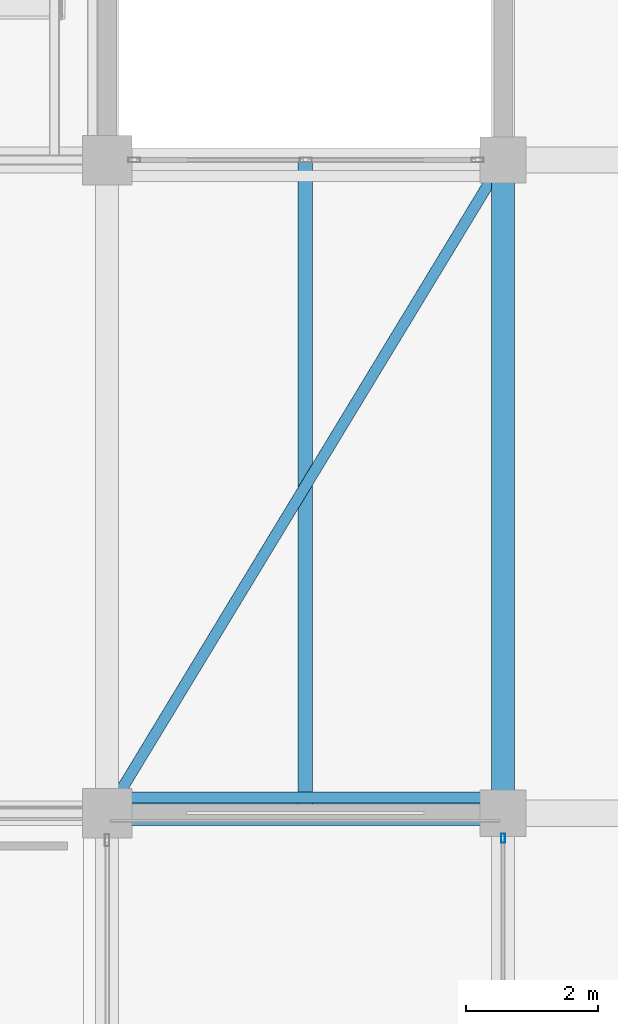
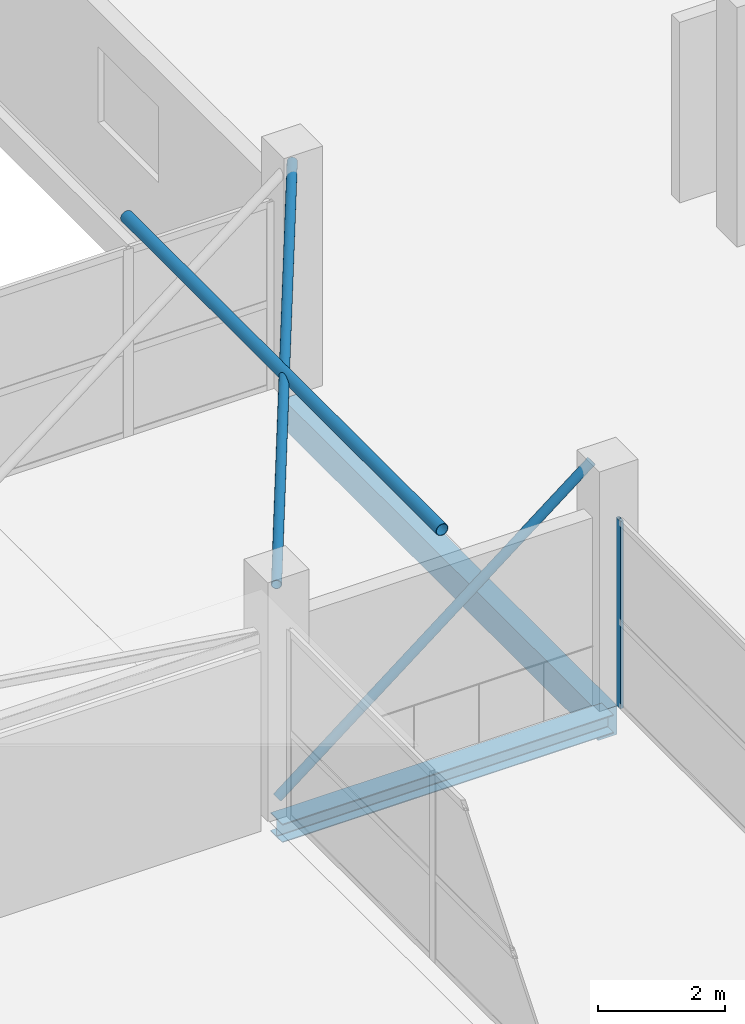
# One storey, part 37 of 69: 4 members, 2 beams, 1 element without a shape of its own.
"""IFC4 building model written with IfcOpenShell, lengths in metres."""

from ifc_helpers import new_model, si_unit, direction, frame, origin, origin_2d, place, context, subcontext, project, spatial, rectangle, hollow_rectangle, hollow_circle, i_section, extrude, material, layer, layer_set, material_profile, profile_set, type_object, element, aggregate, save


model = new_model("IFC4")

# Units and contexts
model_context = context("Model", 3, precision=1e-05, world=origin(), true_north=direction((0.0, 1.0)))
body_context = subcontext(model_context, "Body", "Model", "MODEL_VIEW")
ifc_project = project(units=[si_unit("LENGTHUNIT", "METRE"), si_unit("AREAUNIT", "SQUARE_METRE"), si_unit("VOLUMEUNIT", "CUBIC_METRE"), si_unit("PLANEANGLEUNIT", "RADIAN"), si_unit("MASSUNIT", "GRAM", prefix="KILO")], contexts=[model_context])

# Site, building, storey
site_placement = place(None, origin())
site = spatial("IfcSite", under=ifc_project, at=site_placement, CompositionType="ELEMENT")
building_placement = place(site_placement, origin())
building = spatial("IfcBuilding", under=site, at=building_placement, Name="Sillaruma Civic Art Gallery", CompositionType="ELEMENT")
storey_placement = place(building_placement, frame((0.0, 0.0, 42.330078125)))
storey = spatial("IfcBuildingStorey", under=building, at=storey_placement, Name="L08", CompositionType="ELEMENT", Elevation=42.330078125)

# Beams
ifc_material_1 = material(Name="Structural Steel ASTM A992 Gr.50", Category="steel")
ifc_material_profile_1 = material_profile(ifc_material_1, i_section(OverallWidth=0.368896484375, OverallDepth=0.35595703125, WebThickness=0.01123046875, FlangeThickness=0.01806640625, FilletRadius=0.014892578125, at=origin_2d()), Name="W360x134")
ifc_profile_set_1 = profile_set([ifc_material_profile_1], Name="Structural Steel ASTM A992 Gr.50")
beam_type_1 = type_object("IfcBeamType", Name="BM-BRIDGE-W360x134", PredefinedType="SPANDREL", material=ifc_profile_set_1)
beam_1_placement = place(storey_placement, frame((92.0, 69.300048828125, -0.4580078125), z_axis=(1.0, 0.0, 0.0), x_axis=(0.0, 1.0, 0.0)))
element("IfcBeam", 1, at=beam_1_placement, inside=storey, type_object=beam_type_1, Name="Sky-Bridge Steel Edge Girder (BRG-N:L08:S)", PredefinedType="SPANDREL", context=body_context, shape_type="SweptSolid", body=[
    extrude(i_section(OverallWidth=0.368896484375, OverallDepth=0.35595703125, WebThickness=0.01123046875, FlangeThickness=0.01806640625, FilletRadius=0.014892578125, at=origin_2d()), origin(), (0.0, 0.0, 1.0), 6.0),
])
ifc_material_2 = material(Name="Concrete H35 (35 MPa)", Category="concrete")
ifc_material_profile_2 = material_profile(ifc_material_2, rectangle(XDim=0.35009765625, YDim=0.550048828125, at=origin_2d()), Name="RCB350x550")
ifc_profile_set_2 = profile_set([ifc_material_profile_2], Name="Concrete H35 (35 MPa)")
beam_type_2 = type_object("IfcBeamType", Name="BM-SPANDREL-RCB350x550", PredefinedType="SPANDREL", material=ifc_profile_set_2)
beam_2_placement = place(storey_placement, frame((98.0, 69.300048828125, -0.55517578125), z_axis=(0.0, 1.0, 0.0), x_axis=(-1.0, 0.0, 0.0)))
element("IfcBeam", 2, at=beam_2_placement, inside=storey, type_object=beam_type_2, Name="Beam BS-04 (L07:L:8-9)", PredefinedType="SPANDREL", context=body_context, shape_type="SweptSolid", body=[
    extrude(rectangle(XDim=0.35009765625, YDim=0.550048828125, at=origin_2d()), origin(), (0.0, 0.0, 1.0), 9.89990234375),
])

# Members
ifc_material_3 = material(Name="Structural Steel ASTM A500 Gr.C", Category="steel")
ifc_material_profile_3 = material_profile(ifc_material_3, hollow_circle(Radius=0.084228515625, WallThickness=0.007080078125, at=origin_2d()), Name="CHS168.3x7.1")
ifc_profile_set_3 = profile_set([ifc_material_profile_3], Name="Structural Steel ASTM A500 Gr.C")
member_type_1 = type_object("IfcMemberType", Name="MEM-BRIDGE-BRACE", PredefinedType="BRACE", material=ifc_profile_set_3)
member_1_placement = place(storey_placement, frame((92.14990234375, 69.5400390625, -0.080078125), z_axis=(0.787576177128, 0.0, 0.616217303571), x_axis=(0.0, 1.0, 0.0)))
element("IfcMember", 3, at=member_1_placement, inside=storey, type_object=member_type_1, Name="Sky-Bridge Elevation Truss Web Brace (BRG-N:L08:S)", PredefinedType="BRACE", context=body_context, shape_type="SweptSolid", body=[
    extrude(hollow_circle(Radius=0.084228515625, WallThickness=0.007080078125, at=origin_2d()), origin(), (0.0, 0.0, 1.0), 7.237548828125),
])
member_2_placement = place(storey_placement, frame((92.0, 69.300048828125, 4.201904296875), z_axis=(0.518305455332, 0.855195565337, 0.0), x_axis=(-0.855195565337, 0.518305455332, 0.0)))
element("IfcMember", 4, at=member_2_placement, inside=storey, type_object=member_type_1, Name="Sky-Bridge Diagonal Plan Brace (BRG-N:L09)", PredefinedType="BRACE", context=body_context, shape_type="SweptSolid", body=[
    extrude(hollow_circle(Radius=0.084228515625, WallThickness=0.007080078125, at=origin_2d()), origin(), (0.0, 0.0, 1.0), 11.576171875),
])
ifc_material_profile_4 = material_profile(ifc_material_3, hollow_circle(Radius=0.109619140625, WallThickness=0.00830078125, at=origin_2d()), Name="CHS219.1x8.2")
ifc_profile_set_4 = profile_set([ifc_material_profile_4], Name="Structural Steel ASTM A500 Gr.C")
member_type_2 = type_object("IfcMemberType", Name="MEM-BRIDGE-STRUT", PredefinedType="STRUT", material=ifc_profile_set_4)
member_3_placement = place(storey_placement, frame((95.0, 69.300048828125, 4.201904296875), z_axis=(0.0, 1.0, 0.0), x_axis=(-1.0, 0.0, 0.0)))
element("IfcMember", 5, at=member_3_placement, inside=storey, type_object=member_type_2, Name="Sky-Bridge Transverse Strut (BRG-N:L09)", PredefinedType="STRUT", context=body_context, shape_type="SweptSolid", body=[
    extrude(hollow_circle(Radius=0.109619140625, WallThickness=0.00830078125, at=origin_2d()), origin(), (0.0, 0.0, 1.0), 9.89990234375),
])

# Curtain wall, member
ifc_material_4 = material(Name="Thermally Broken Extruded Aluminium 6063-T6", Category="aluminium")
ifc_layer = layer(ifc_material_4, 0.139892578125, Name="Thermally Broken Extruded Aluminium 6063-T6")
ifc_layer_set = layer_set([ifc_layer], Name="Thermally Broken Extruded Aluminium 6063-T6")
curtain_wall_type = type_object("IfcCurtainWallType", Name="CW-UNI-40", PredefinedType="NOTDEFINED", material=ifc_layer_set)
curtain_wall_placement = place(storey_placement, origin())
curtain_wall = element("IfcCurtainWall", 6, at=curtain_wall_placement, inside=storey, type_object=curtain_wall_type, Name="Unitised Curtain Wall CW-40 (CW-L08-EBW-5)", PredefinedType="NOTDEFINED")
ifc_material_profile_5 = material_profile(ifc_material_4, hollow_rectangle(XDim=0.06005859375, YDim=0.139892578125, WallThickness=0.00341796875, at=origin_2d()), Name="CWM60x140")
ifc_profile_set_5 = profile_set([ifc_material_profile_5], Name="Thermally Broken Extruded Aluminium 6063-T6")
member_type_3 = type_object("IfcMemberType", Name="MEM-MUL-CWM60x140", PredefinedType="MULLION", material=ifc_profile_set_5)
member_4_placement = place(storey_placement, frame((98.0, 68.919921875, 0.0), z_axis=(0.0, 0.0, 1.0), x_axis=(-1.0, 0.0, 0.0)))
member_4 = element("IfcMember", 7, at=member_4_placement, type_object=member_type_3, Name="CW-40 mullion 3", PredefinedType="MULLION", context=body_context, shape_type="SweptSolid", body=[
    extrude(hollow_rectangle(XDim=0.06005859375, YDim=0.139892578125, WallThickness=0.00341796875, at=origin_2d()), origin(), (0.0, 0.0, 1.0), 3.58984375),
])
aggregate(curtain_wall, [member_4])

save(model, "model.ifc")
